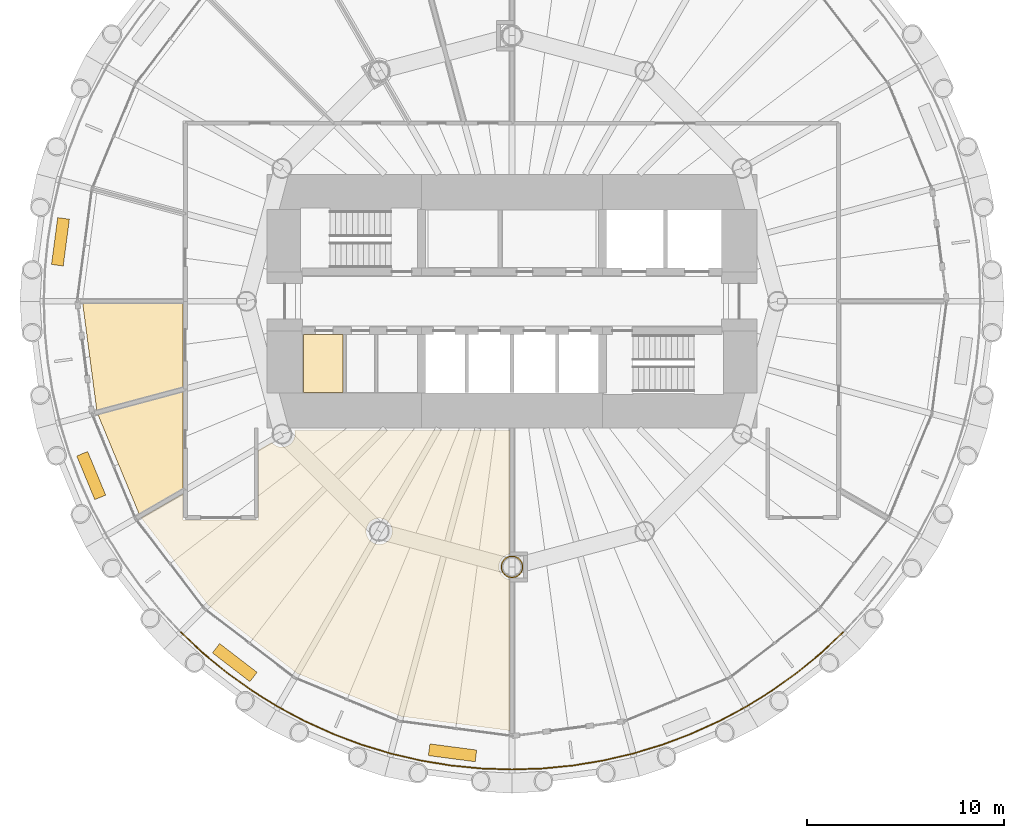
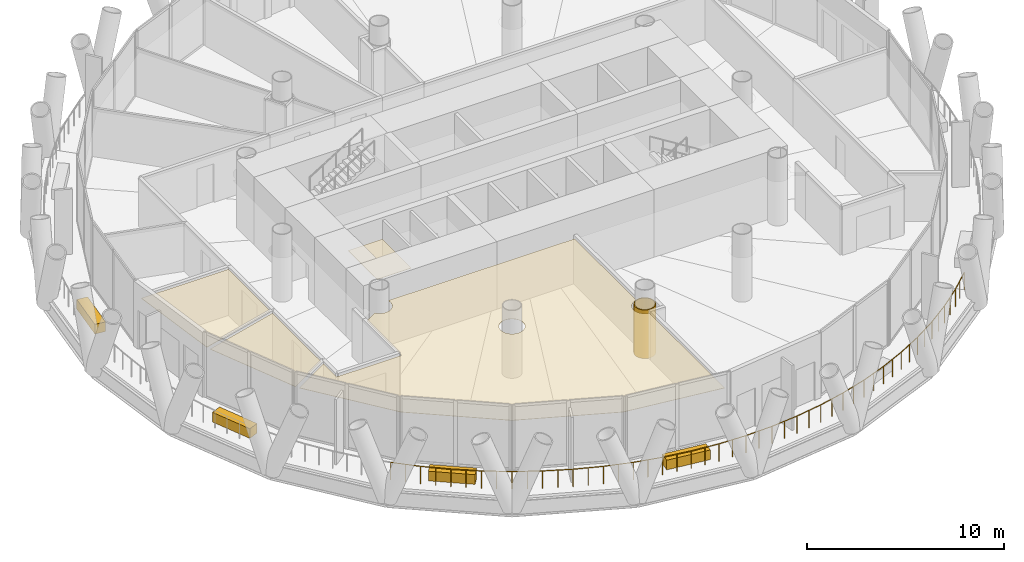
# One storey, part 12 of 15: 9 coverings, 1 railing.
"""IFC4 building model written with IfcOpenShell, lengths in metres."""

from ifc_helpers import new_model, si_unit, direction, frame, origin, origin_2d, place, context, subcontext, project, spatial, polyline, rectangle, circle, outline, extrude, material, layer, layer_set, type_object, element, save


model = new_model("IFC4")

# Units and contexts
model_context = context("Model", 3, precision=1e-05, world=origin(), true_north=direction((0.0, 1.0)))
body_context = subcontext(model_context, "Body", "Model", "MODEL_VIEW")
ifc_project = project(units=[si_unit("LENGTHUNIT", "METRE"), si_unit("AREAUNIT", "SQUARE_METRE"), si_unit("VOLUMEUNIT", "CUBIC_METRE"), si_unit("PLANEANGLEUNIT", "RADIAN"), si_unit("MASSUNIT", "GRAM", prefix="KILO")], contexts=[model_context])

# Site, building, storey
site_placement = place(None, origin())
site = spatial("IfcSite", under=ifc_project, at=site_placement, CompositionType="ELEMENT")
building_placement = place(site_placement, origin())
building = spatial("IfcBuilding", under=site, at=building_placement, Name="Qaws Media Tower", CompositionType="ELEMENT")
storey_placement = place(building_placement, frame((0.0, 0.0, 177.199951171875)))
storey = spatial("IfcBuildingStorey", under=building, at=storey_placement, Name="L40", CompositionType="ELEMENT", Elevation=177.199951171875)

# Railing
ifc_material_1 = material(Name="Stainless steel and glass guard", Category="steel")
railing_type = type_object("IfcRailingType", Name="Balcony guard 1100", PredefinedType="GUARDRAIL", material=ifc_material_1)
railing_placement = place(storey_placement, frame((43.1708984375, 33.1708984375, 0.0)))
element("IfcRailing", 1, at=railing_placement, inside=storey, type_object=railing_type, Name="GR1 balcony guard L40-3", PredefinedType="GUARDRAIL", context=body_context, shape_type="SweptSolid", body=[
    extrude(circle(Radius=0.02392578125, at=origin_2d()), frame((0.0, 0.0, 1.076171875), z_axis=(0.729849985471, -0.683607342491, 0.0), x_axis=(0.683607342491, 0.729849985471, 0.0)), (0.0, 0.0, 1.0), 1.557373046875),
    extrude(circle(Radius=0.02392578125, at=origin_2d()), frame((1.13671875, -1.064697265625, 1.076171875), z_axis=(0.772992550255, -0.634415098536, 0.0), x_axis=(0.634415098536, 0.772992550255, 0.0)), (0.0, 0.0, 1.0), 1.557373046875),
    extrude(circle(Radius=0.02392578125, at=origin_2d()), frame((2.340576171875, -2.052734375, 1.076171875), z_axis=(0.812810942204, -0.582527572079, 0.0), x_axis=(0.582527572079, 0.812810942204, 0.0)), (0.0, 0.0, 1.0), 1.557373046875),
    extrude(circle(Radius=0.02392578125, at=origin_2d()), frame((3.6064453125, -2.9599609375, 1.076171875), z_axis=(0.849281526223, -0.527940232617, 0.0), x_axis=(0.527940232617, 0.849281526223, 0.0)), (0.0, 0.0, 1.0), 1.5576171875),
    extrude(circle(Radius=0.02392578125, at=origin_2d()), frame((4.92919921875, -3.7822265625, 1.076171875), z_axis=(0.881931668673, -0.471377271187, 0.0), x_axis=(0.471377271187, 0.881931668673, 0.0)), (0.0, 0.0, 1.0), 1.557373046875),
    extrude(circle(Radius=0.02392578125, at=origin_2d()), frame((6.302734375, -4.516357421875, 1.076171875), z_axis=(0.910832985836, -0.412775086352, 0.0), x_axis=(0.412775086352, 0.910832985836, 0.0)), (0.0, 0.0, 1.0), 1.557373046875),
    extrude(circle(Radius=0.02392578125, at=origin_2d()), frame((7.72119140625, -5.1591796875, 1.076171875), z_axis=(0.935922733665, -0.352205389808, 0.0), x_axis=(0.352205389808, 0.935922733665, 0.0)), (0.0, 0.0, 1.0), 1.5576171875),
    extrude(circle(Radius=0.02392578125, at=origin_2d()), frame((9.178955078125, -5.707763671875, 1.076171875), z_axis=(0.956924141073, -0.29033805853, 0.0), x_axis=(0.29033805853, 0.956924141073, 0.0)), (0.0, 0.0, 1.0), 1.557373046875),
    extrude(circle(Radius=0.02392578125, at=origin_2d()), frame((10.669189453125, -6.159912109375, 1.076171875), z_axis=(0.973865484186, -0.227125557152, 0.0), x_axis=(0.227125557152, 0.973865484186, 0.0)), (0.0, 0.0, 1.0), 1.5576171875),
    extrude(circle(Radius=0.02392578125, at=origin_2d()), frame((12.18603515625, -6.513671875, 1.076171875), z_axis=(0.9866469499, -0.162873559095, 0.0), x_axis=(0.162873559095, 0.9866469499, 0.0)), (0.0, 0.0, 1.0), 1.557373046875),
    extrude(circle(Radius=0.02392578125, at=origin_2d()), frame((13.72265625, -6.767333984375, 1.076171875), z_axis=(0.995188142813, -0.097982449474, 0.0), x_axis=(0.097982449474, 0.995188142813, 0.0)), (0.0, 0.0, 1.0), 1.557373046875),
    extrude(circle(Radius=0.02392578125, at=origin_2d()), frame((15.2724609375, -6.919921875, 1.076171875), z_axis=(0.999463195493, -0.032761575887, 0.0), x_axis=(0.032761575887, 0.999463195493, 0.0)), (0.0, 0.0, 1.0), 1.557373046875),
    extrude(circle(Radius=0.02392578125, at=origin_2d()), frame((16.8291015625, -6.970947265625, 1.076171875), z_axis=(0.999463195493, 0.032761575887, 0.0), x_axis=(-0.032761575887, 0.999463195493, 0.0)), (0.0, 0.0, 1.0), 1.557373046875),
    extrude(circle(Radius=0.02392578125, at=origin_2d()), frame((18.3857421875, -6.919921875, 1.076171875), z_axis=(0.995188142813, 0.097982449474, 0.0), x_axis=(-0.097982449474, 0.995188142813, 0.0)), (0.0, 0.0, 1.0), 1.557373046875),
    extrude(circle(Radius=0.02392578125, at=origin_2d()), frame((19.935546875, -6.767333984375, 1.076171875), z_axis=(0.9866469499, 0.162873559095, 0.0), x_axis=(-0.162873559095, 0.9866469499, 0.0)), (0.0, 0.0, 1.0), 1.557373046875),
    extrude(circle(Radius=0.02392578125, at=origin_2d()), frame((21.47216796875, -6.513671875, 1.076171875), z_axis=(0.973865484186, 0.227125557152, 0.0), x_axis=(-0.227125557152, 0.973865484186, 0.0)), (0.0, 0.0, 1.0), 1.5576171875),
    extrude(circle(Radius=0.02392578125, at=origin_2d()), frame((22.989013671875, -6.159912109375, 1.076171875), z_axis=(0.956924141073, 0.29033805853, 0.0), x_axis=(-0.29033805853, 0.956924141073, 0.0)), (0.0, 0.0, 1.0), 1.557373046875),
    extrude(circle(Radius=0.02392578125, at=origin_2d()), frame((24.479248046875, -5.707763671875, 1.076171875), z_axis=(0.935922733665, 0.352205389808, 0.0), x_axis=(-0.352205389808, 0.935922733665, 0.0)), (0.0, 0.0, 1.0), 1.5576171875),
    extrude(circle(Radius=0.02392578125, at=origin_2d()), frame((25.93701171875, -5.1591796875, 1.076171875), z_axis=(0.910832985836, 0.412775086352, 0.0), x_axis=(-0.412775086352, 0.910832985836, 0.0)), (0.0, 0.0, 1.0), 1.557373046875),
    extrude(circle(Radius=0.02392578125, at=origin_2d()), frame((27.35546875, -4.516357421875, 1.076171875), z_axis=(0.881931668673, 0.471377271187, 0.0), x_axis=(-0.471377271187, 0.881931668673, 0.0)), (0.0, 0.0, 1.0), 1.557373046875),
    extrude(circle(Radius=0.02392578125, at=origin_2d()), frame((28.72900390625, -3.7822265625, 1.076171875), z_axis=(0.849281526223, 0.527940232617, 0.0), x_axis=(-0.527940232617, 0.849281526223, 0.0)), (0.0, 0.0, 1.0), 1.5576171875),
    extrude(circle(Radius=0.02392578125, at=origin_2d()), frame((30.0517578125, -2.9599609375, 1.076171875), z_axis=(0.812810942204, 0.582527572079, 0.0), x_axis=(-0.582527572079, 0.812810942204, 0.0)), (0.0, 0.0, 1.0), 1.557373046875),
    extrude(circle(Radius=0.02392578125, at=origin_2d()), frame((31.317626953125, -2.052734375, 1.076171875), z_axis=(0.772992550255, 0.634415098536, 0.0), x_axis=(-0.634415098536, 0.772992550255, 0.0)), (0.0, 0.0, 1.0), 1.557373046875),
    extrude(circle(Radius=0.02392578125, at=origin_2d()), frame((32.521484375, -1.064697265625, 1.076171875), z_axis=(0.729849985471, 0.683607342491, 0.0), x_axis=(-0.683607342491, 0.729849985471, 0.0)), (0.0, 0.0, 1.0), 1.557373046875),
    extrude(circle(Radius=0.02099609375, at=origin_2d()), origin(), (0.0, 0.0, 1.0), 1.052001953125),
    extrude(circle(Radius=0.02099609375, at=origin_2d()), frame((0.568359375, -0.5322265625, 0.0)), (0.0, 0.0, 1.0), 1.052001953125),
    extrude(circle(Radius=0.02099609375, at=origin_2d()), frame((1.13671875, -1.064697265625, 0.0)), (0.0, 0.0, 1.0), 1.052001953125),
    extrude(circle(Radius=0.02099609375, at=origin_2d()), frame((1.73876953125, -1.55859375, 0.0)), (0.0, 0.0, 1.0), 1.052001953125),
    extrude(circle(Radius=0.02099609375, at=origin_2d()), frame((2.340576171875, -2.052734375, 0.0)), (0.0, 0.0, 1.0), 1.052001953125),
    extrude(circle(Radius=0.02099609375, at=origin_2d()), frame((2.9736328125, -2.50634765625, 0.0)), (0.0, 0.0, 1.0), 1.052001953125),
    extrude(circle(Radius=0.02099609375, at=origin_2d()), frame((3.6064453125, -2.9599609375, 0.0)), (0.0, 0.0, 1.0), 1.052001953125),
    extrude(circle(Radius=0.02099609375, at=origin_2d()), frame((4.267822265625, -3.37109375, 0.0)), (0.0, 0.0, 1.0), 1.052001953125),
    extrude(circle(Radius=0.02099609375, at=origin_2d()), frame((4.92919921875, -3.7822265625, 0.0)), (0.0, 0.0, 1.0), 1.052001953125),
    extrude(circle(Radius=0.02099609375, at=origin_2d()), frame((5.615966796875, -4.1494140625, 0.0)), (0.0, 0.0, 1.0), 1.052001953125),
    extrude(circle(Radius=0.02099609375, at=origin_2d()), frame((6.302734375, -4.516357421875, 0.0)), (0.0, 0.0, 1.0), 1.052001953125),
    extrude(circle(Radius=0.02099609375, at=origin_2d()), frame((7.011962890625, -4.837890625, 0.0)), (0.0, 0.0, 1.0), 1.052001953125),
    extrude(circle(Radius=0.02099609375, at=origin_2d()), frame((7.72119140625, -5.1591796875, 0.0)), (0.0, 0.0, 1.0), 1.052001953125),
    extrude(circle(Radius=0.02099609375, at=origin_2d()), frame((8.4501953125, -5.43359375, 0.0)), (0.0, 0.0, 1.0), 1.052001953125),
    extrude(circle(Radius=0.02099609375, at=origin_2d()), frame((9.178955078125, -5.707763671875, 0.0)), (0.0, 0.0, 1.0), 1.052001953125),
    extrude(circle(Radius=0.02099609375, at=origin_2d()), frame((9.924072265625, -5.933837890625, 0.0)), (0.0, 0.0, 1.0), 1.052001953125),
    extrude(circle(Radius=0.02099609375, at=origin_2d()), frame((10.669189453125, -6.159912109375, 0.0)), (0.0, 0.0, 1.0), 1.052001953125),
    extrude(circle(Radius=0.02099609375, at=origin_2d()), frame((11.427734375, -6.3369140625, 0.0)), (0.0, 0.0, 1.0), 1.052001953125),
    extrude(circle(Radius=0.02099609375, at=origin_2d()), frame((12.18603515625, -6.513671875, 0.0)), (0.0, 0.0, 1.0), 1.052001953125),
    extrude(circle(Radius=0.02099609375, at=origin_2d()), frame((12.954345703125, -6.640625, 0.0)), (0.0, 0.0, 1.0), 1.052001953125),
    extrude(circle(Radius=0.02099609375, at=origin_2d()), frame((13.72265625, -6.767333984375, 0.0)), (0.0, 0.0, 1.0), 1.052001953125),
    extrude(circle(Radius=0.02099609375, at=origin_2d()), frame((14.49755859375, -6.84375, 0.0)), (0.0, 0.0, 1.0), 1.052001953125),
    extrude(circle(Radius=0.02099609375, at=origin_2d()), frame((15.2724609375, -6.919921875, 0.0)), (0.0, 0.0, 1.0), 1.052001953125),
    extrude(circle(Radius=0.02099609375, at=origin_2d()), frame((16.05078125, -6.9453125, 0.0)), (0.0, 0.0, 1.0), 1.052001953125),
    extrude(circle(Radius=0.02099609375, at=origin_2d()), frame((16.8291015625, -6.970947265625, 0.0)), (0.0, 0.0, 1.0), 1.052001953125),
    extrude(circle(Radius=0.02099609375, at=origin_2d()), frame((17.607421875, -6.9453125, 0.0)), (0.0, 0.0, 1.0), 1.052001953125),
    extrude(circle(Radius=0.02099609375, at=origin_2d()), frame((18.3857421875, -6.919921875, 0.0)), (0.0, 0.0, 1.0), 1.052001953125),
    extrude(circle(Radius=0.02099609375, at=origin_2d()), frame((19.16064453125, -6.84375, 0.0)), (0.0, 0.0, 1.0), 1.052001953125),
    extrude(circle(Radius=0.02099609375, at=origin_2d()), frame((19.935546875, -6.767333984375, 0.0)), (0.0, 0.0, 1.0), 1.052001953125),
    extrude(circle(Radius=0.02099609375, at=origin_2d()), frame((20.703857421875, -6.640625, 0.0)), (0.0, 0.0, 1.0), 1.052001953125),
    extrude(circle(Radius=0.02099609375, at=origin_2d()), frame((21.47216796875, -6.513671875, 0.0)), (0.0, 0.0, 1.0), 1.052001953125),
    extrude(circle(Radius=0.02099609375, at=origin_2d()), frame((22.23046875, -6.3369140625, 0.0)), (0.0, 0.0, 1.0), 1.052001953125),
    extrude(circle(Radius=0.02099609375, at=origin_2d()), frame((22.989013671875, -6.159912109375, 0.0)), (0.0, 0.0, 1.0), 1.052001953125),
    extrude(circle(Radius=0.02099609375, at=origin_2d()), frame((23.734130859375, -5.933837890625, 0.0)), (0.0, 0.0, 1.0), 1.052001953125),
    extrude(circle(Radius=0.02099609375, at=origin_2d()), frame((24.479248046875, -5.707763671875, 0.0)), (0.0, 0.0, 1.0), 1.052001953125),
    extrude(circle(Radius=0.02099609375, at=origin_2d()), frame((25.2080078125, -5.43359375, 0.0)), (0.0, 0.0, 1.0), 1.052001953125),
    extrude(circle(Radius=0.02099609375, at=origin_2d()), frame((25.93701171875, -5.1591796875, 0.0)), (0.0, 0.0, 1.0), 1.052001953125),
    extrude(circle(Radius=0.02099609375, at=origin_2d()), frame((26.646240234375, -4.837890625, 0.0)), (0.0, 0.0, 1.0), 1.052001953125),
    extrude(circle(Radius=0.02099609375, at=origin_2d()), frame((27.35546875, -4.516357421875, 0.0)), (0.0, 0.0, 1.0), 1.052001953125),
    extrude(circle(Radius=0.02099609375, at=origin_2d()), frame((28.042236328125, -4.1494140625, 0.0)), (0.0, 0.0, 1.0), 1.052001953125),
    extrude(circle(Radius=0.02099609375, at=origin_2d()), frame((28.72900390625, -3.7822265625, 0.0)), (0.0, 0.0, 1.0), 1.052001953125),
    extrude(circle(Radius=0.02099609375, at=origin_2d()), frame((29.390380859375, -3.37109375, 0.0)), (0.0, 0.0, 1.0), 1.052001953125),
    extrude(circle(Radius=0.02099609375, at=origin_2d()), frame((30.0517578125, -2.9599609375, 0.0)), (0.0, 0.0, 1.0), 1.052001953125),
    extrude(circle(Radius=0.02099609375, at=origin_2d()), frame((30.6845703125, -2.50634765625, 0.0)), (0.0, 0.0, 1.0), 1.052001953125),
    extrude(circle(Radius=0.02099609375, at=origin_2d()), frame((31.317626953125, -2.052734375, 0.0)), (0.0, 0.0, 1.0), 1.052001953125),
    extrude(circle(Radius=0.02099609375, at=origin_2d()), frame((31.91943359375, -1.55859375, 0.0)), (0.0, 0.0, 1.0), 1.052001953125),
    extrude(circle(Radius=0.02099609375, at=origin_2d()), frame((32.521484375, -1.064697265625, 0.0)), (0.0, 0.0, 1.0), 1.052001953125),
    extrude(circle(Radius=0.02099609375, at=origin_2d()), frame((33.08984375, -0.5322265625, 0.0)), (0.0, 0.0, 1.0), 1.052001953125),
    extrude(circle(Radius=0.02099609375, at=origin_2d()), frame((33.658203125, 0.0, 0.0)), (0.0, 0.0, 1.0), 1.052001953125),
])

# Coverings
ifc_material_2 = material(Name="Two layers 15 fire-rated gypsum board on steel framing", Category="steel")
ifc_layer_1 = layer(ifc_material_2, 0.050048828125)
ifc_layer_set_1 = layer_set([ifc_layer_1], Name="Column fire casing")
covering_type_1 = type_object("IfcCoveringType", Name="Column fire casing", PredefinedType="CLADDING", material=ifc_layer_set_1)
covering_1_placement = place(storey_placement, origin())
element("IfcCovering", 2, at=covering_1_placement, inside=storey, type_object=covering_type_1, Name="CC1 column casing L40", PredefinedType="CLADDING", context=body_context, shape_type="SweptSolid", body=[
    extrude(outline(polyline([(60.56298828125, 36.5), (60.55810546875, 36.426513671875), (60.543701171875, 36.354248046875), (60.52001953125, 36.284423828125), (60.487548828125, 36.218505859375), (60.44677734375, 36.1572265625), (60.398193359375, 36.101806640625), (60.3427734375, 36.05322265625), (60.281494140625, 36.012451171875), (60.215576171875, 35.97998046875), (60.145751953125, 35.956298828125), (60.073486328125, 35.94189453125), (60.0, 35.93701171875), (59.926513671875, 35.94189453125), (59.854248046875, 35.956298828125), (59.784423828125, 35.97998046875), (59.718505859375, 36.012451171875), (59.6572265625, 36.05322265625), (59.601806640625, 36.101806640625), (59.55322265625, 36.1572265625), (59.512451171875, 36.218505859375), (59.47998046875, 36.284423828125), (59.456298828125, 36.354248046875), (59.44189453125, 36.426513671875), (59.43701171875, 36.5), (59.44189453125, 36.573486328125), (59.456298828125, 36.645751953125), (59.47998046875, 36.715576171875), (59.512451171875, 36.781494140625), (59.55322265625, 36.8427734375), (59.601806640625, 36.898193359375), (59.6572265625, 36.94677734375), (59.718505859375, 36.987548828125), (59.784423828125, 37.02001953125), (59.854248046875, 37.043701171875), (59.926513671875, 37.05810546875), (60.0, 37.06298828125), (60.073486328125, 37.05810546875), (60.145751953125, 37.043701171875), (60.215576171875, 37.02001953125), (60.281494140625, 36.987548828125), (60.3427734375, 36.94677734375), (60.398193359375, 36.898193359375), (60.44677734375, 36.8427734375), (60.487548828125, 36.781494140625), (60.52001953125, 36.715576171875), (60.543701171875, 36.645751953125), (60.55810546875, 36.573486328125), (60.56298828125, 36.5)]), holes=[polyline([(60.510986328125, 36.5), (60.506591796875, 36.433349609375), (60.49365234375, 36.36767578125), (60.47216796875, 36.304443359375), (60.4423828125, 36.244384765625), (60.405517578125, 36.18896484375), (60.361328125, 36.138671875), (60.31103515625, 36.094482421875), (60.255615234375, 36.0576171875), (60.195556640625, 36.02783203125), (60.13232421875, 36.00634765625), (60.066650390625, 35.993408203125), (60.0, 35.989013671875), (59.933349609375, 35.993408203125), (59.86767578125, 36.00634765625), (59.804443359375, 36.02783203125), (59.744384765625, 36.0576171875), (59.68896484375, 36.094482421875), (59.638671875, 36.138671875), (59.594482421875, 36.18896484375), (59.5576171875, 36.244384765625), (59.52783203125, 36.304443359375), (59.50634765625, 36.36767578125), (59.493408203125, 36.433349609375), (59.489013671875, 36.5), (59.493408203125, 36.566650390625), (59.50634765625, 36.63232421875), (59.52783203125, 36.695556640625), (59.5576171875, 36.755615234375), (59.594482421875, 36.81103515625), (59.638671875, 36.861328125), (59.68896484375, 36.905517578125), (59.744384765625, 36.9423828125), (59.804443359375, 36.97216796875), (59.86767578125, 36.99365234375), (59.933349609375, 37.006591796875), (60.0, 37.010986328125), (60.066650390625, 37.006591796875), (60.13232421875, 36.99365234375), (60.195556640625, 36.97216796875), (60.255615234375, 36.9423828125), (60.31103515625, 36.905517578125), (60.361328125, 36.861328125), (60.405517578125, 36.81103515625), (60.4423828125, 36.755615234375), (60.47216796875, 36.695556640625), (60.49365234375, 36.63232421875), (60.506591796875, 36.566650390625), (60.510986328125, 36.5)])]), origin(), (0.0, 0.0, 1.0), 3.011962890625),
])
ifc_material_3 = material(Name="600 x 600 mineral fibre tiles in exposed grid, suspended", Category="mineral fibre")
ifc_layer_2 = layer(ifc_material_3, 0.02001953125)
ifc_layer_set_2 = layer_set([ifc_layer_2], Name="Mineral fibre tile ceiling 20")
covering_type_2 = type_object("IfcCoveringType", Name="Mineral fibre tile ceiling 20", PredefinedType="CEILING", material=ifc_layer_set_2)
covering_2_placement = place(storey_placement, frame((0.0, 0.0, 2.85009765625)))
element("IfcCovering", 3, at=covering_2_placement, inside=storey, type_object=covering_type_2, Name="CL1 ceiling L40-09 Office", PredefinedType="CEILING", context=body_context, shape_type="SweptSolid", body=[
    extrude(outline(polyline([(38.9521484375, 44.243896484375), (43.28759765625, 45.405517578125), (43.28759765625, 40.48095703125), (41.046630859375, 39.187255859375), (38.9521484375, 44.243896484375)])), origin(), (0.0, 0.0, 1.0), 0.02001953125),
])
covering_3_placement = place(storey_placement, frame((0.0, 0.0, 2.85009765625)))
element("IfcCovering", 4, at=covering_3_placement, inside=storey, type_object=covering_type_2, Name="CL1 ceiling L40-10 Communications office", PredefinedType="CEILING", context=body_context, shape_type="SweptSolid", body=[
    extrude(outline(polyline([(54.3486328125, 28.90869140625), (49.08251953125, 31.090087890625), (44.560302734375, 34.560302734375), (41.1591796875, 38.992431640625), (43.28759765625, 40.22119140625), (43.28759765625, 38.887451171875), (47.112548828125, 38.887451171875), (47.112548828125, 42.429443359375), (47.795654296875, 42.823974609375), (47.836181640625, 42.777587890625), (47.902099609375, 42.719970703125), (47.974609375, 42.67138671875), (48.052978515625, 42.6328125), (48.1357421875, 42.604736328125), (48.221435546875, 42.587646484375), (48.30859375, 42.58203125), (48.395751953125, 42.587646484375), (48.4814453125, 42.604736328125), (48.564208984375, 42.6328125), (48.642578125, 42.67138671875), (48.71533203125, 42.719970703125), (48.781005859375, 42.777587890625), (48.838623046875, 42.84326171875), (48.88720703125, 42.916015625), (48.92578125, 42.994384765625), (48.953857421875, 43.0771484375), (48.970947265625, 43.162841796875), (48.976806640625, 43.25), (48.970947265625, 43.337158203125), (48.953857421875, 43.4228515625), (48.948974609375, 43.4375), (59.887451171875, 43.4375), (59.887451171875, 37.1572265625), (59.8271484375, 37.145263671875), (59.744384765625, 37.1171875), (59.666015625, 37.07861328125), (59.59326171875, 37.030029296875), (59.527587890625, 36.972412109375), (59.469970703125, 36.90673828125), (59.42138671875, 36.833984375), (59.3828125, 36.755615234375), (59.354736328125, 36.6728515625), (59.337646484375, 36.587158203125), (59.33203125, 36.5), (59.337646484375, 36.412841796875), (59.354736328125, 36.3271484375), (59.3828125, 36.244384765625), (59.42138671875, 36.166015625), (59.469970703125, 36.09326171875), (59.527587890625, 36.027587890625), (59.59326171875, 35.969970703125), (59.666015625, 35.92138671875), (59.744384765625, 35.8828125), (59.8271484375, 35.854736328125), (59.887451171875, 35.8427734375), (59.887451171875, 28.1796875), (54.3486328125, 28.90869140625)]), holes=[polyline([(53.895263671875, 38.1357421875), (53.912353515625, 38.221435546875), (53.91796875, 38.30859375), (53.912353515625, 38.395751953125), (53.895263671875, 38.4814453125), (53.8671875, 38.564208984375), (53.82861328125, 38.642578125), (53.780029296875, 38.71533203125), (53.722412109375, 38.781005859375), (53.65673828125, 38.838623046875), (53.583984375, 38.88720703125), (53.505615234375, 38.92578125), (53.4228515625, 38.953857421875), (53.337158203125, 38.970947265625), (53.25, 38.976806640625), (53.162841796875, 38.970947265625), (53.0771484375, 38.953857421875), (52.994384765625, 38.92578125), (52.916015625, 38.88720703125), (52.84326171875, 38.838623046875), (52.777587890625, 38.781005859375), (52.719970703125, 38.71533203125), (52.67138671875, 38.642578125), (52.6328125, 38.564208984375), (52.604736328125, 38.4814453125), (52.587646484375, 38.395751953125), (52.58203125, 38.30859375), (52.587646484375, 38.221435546875), (52.604736328125, 38.1357421875), (52.6328125, 38.052978515625), (52.67138671875, 37.974609375), (52.719970703125, 37.902099609375), (52.777587890625, 37.836181640625), (52.84326171875, 37.77880859375), (52.916015625, 37.730224609375), (52.994384765625, 37.69140625), (53.0771484375, 37.663330078125), (53.162841796875, 37.646484375), (53.25, 37.640625), (53.337158203125, 37.646484375), (53.4228515625, 37.663330078125), (53.505615234375, 37.69140625), (53.583984375, 37.730224609375), (53.65673828125, 37.77880859375), (53.722412109375, 37.836181640625), (53.780029296875, 37.902099609375), (53.82861328125, 37.974609375), (53.8671875, 38.052978515625), (53.895263671875, 38.1357421875)])]), origin(), (0.0, 0.0, 1.0), 0.02001953125),
])
covering_4_placement = place(storey_placement, frame((0.0, 0.0, 2.85009765625)))
element("IfcCovering", 5, at=covering_4_placement, inside=storey, type_object=covering_type_2, Name="CL1 ceiling L40-C04 Shower room", PredefinedType="CEILING", context=body_context, shape_type="SweptSolid", body=[
    extrude(outline(polyline([(49.39990234375, 45.35009765625), (49.39990234375, 48.300048828125), (51.39990234375, 48.300048828125), (51.39990234375, 45.35009765625), (49.39990234375, 45.35009765625)])), origin(), (0.0, 0.0, 1.0), 0.02001953125),
])
ifc_material_4 = material(Name="Precast concrete planter with trailing planting", Category="concrete")
ifc_layer_3 = layer(ifc_material_4, 0.60009765625)
ifc_layer_set_3 = layer_set([ifc_layer_3], Name="Planter 2400x600")
covering_type_3 = type_object("IfcCoveringType", Name="Planter 2400x600", PredefinedType="USERDEFINED", material=ifc_layer_set_3)
for number, where, z_axis, x_axis, name in (
    (6, (37.048095703125, 53.021728515625, 0.0), (0.0, 0.0, 1.0), (-0.13052619222, -0.991444861374, 0.0), "PL1 balcony planter L40-06"),
    (7, (38.6123046875, 41.140869140625, 0.0), (0.0, 0.0, 1.0), (0.382683432365, -0.923879532511, 0.0), "PL1 balcony planter L40-07"),
    (8, (45.9072265625, 31.6337890625, 0.0), (0.0, 0.0, 1.0), (0.793353340291, -0.608761429009, 0.0), "PL1 balcony planter L40-08"),
    (9, (56.978271484375, 27.048095703125, 0.0), (0.0, 0.0, 1.0), (0.991444861374, -0.13052619222, 0.0), "PL1 balcony planter L40-09"),
):
    element("IfcCovering", number, at=place(storey_placement, frame(where, z_axis=z_axis, x_axis=x_axis)), inside=storey, type_object=covering_type_3, Name=name, ObjectType="PLANTER", PredefinedType="USERDEFINED", context=body_context, shape_type="SweptSolid", body=[
        extrude(rectangle(XDim=2.39990234375, YDim=0.60009765625, at=origin_2d()), origin(), (0.0, 0.0, 1.0), 0.60009765625),
    ])
ifc_material_5 = material(Name="Two layers 12.5 moisture-resistant plasterboard on suspended metal furring", Category="gypsum")
ifc_layer_4 = layer(ifc_material_5, 0.02490234375)
ifc_layer_set_4 = layer_set([ifc_layer_4], Name="Plasterboard ceiling 25")
covering_type_4 = type_object("IfcCoveringType", Name="Plasterboard ceiling 25", PredefinedType="CEILING", material=ifc_layer_set_4)
covering_5_placement = place(storey_placement, frame((0.0, 0.0, 2.85009765625)))
element("IfcCovering", 10, at=covering_5_placement, inside=storey, type_object=covering_type_4, Name="CL2 ceiling L40-08 Communications reception", PredefinedType="CEILING", context=body_context, shape_type="SweptSolid", body=[
    extrude(outline(polyline([(38.1796875, 49.887451171875), (43.28759765625, 49.887451171875), (43.28759765625, 45.638427734375), (38.89404296875, 44.461181640625), (38.1796875, 49.887451171875)])), origin(), (0.0, 0.0, 1.0), 0.02490234375),
])

save(model, "model.ifc")
